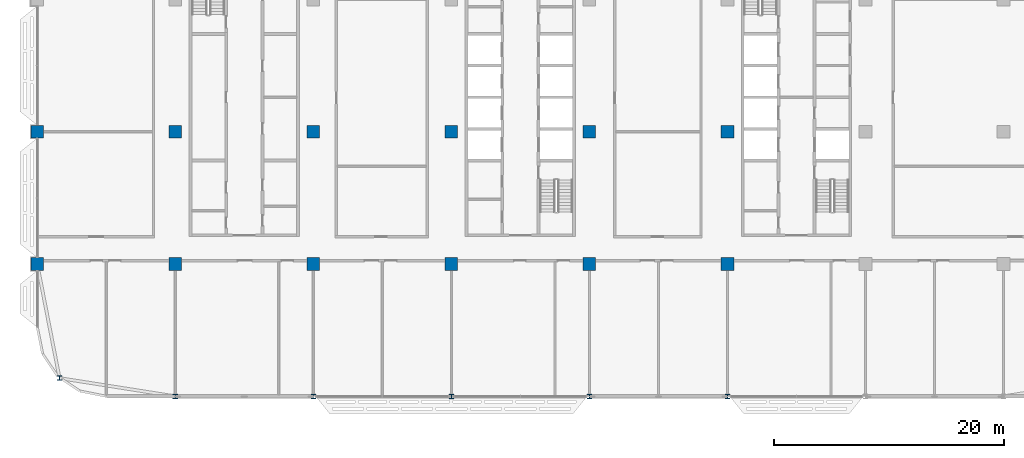
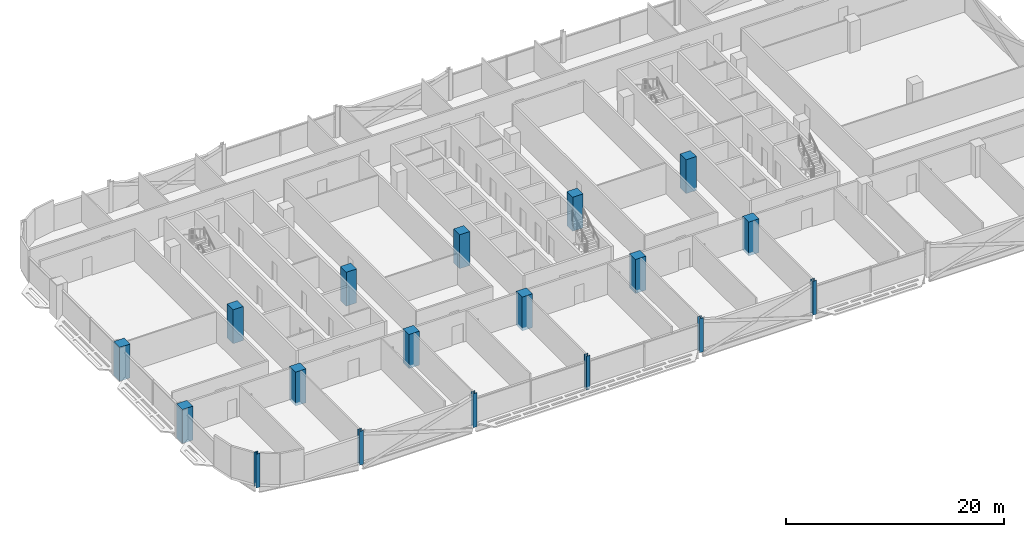
# One storey, part 1 of 30: 18 columns.
"""IFC4 building model written with IfcOpenShell, lengths in metres."""

from ifc_helpers import new_model, si_unit, direction, frame, origin, origin_2d, place, context, subcontext, project, spatial, rectangle, i_section, extrude, material, material_profile, profile_set, type_object, element, save


model = new_model("IFC4")

# Units and contexts
model_context = context("Model", 3, precision=1e-05, world=origin(), true_north=direction((0.0, 1.0)))
body_context = subcontext(model_context, "Body", "Model", "MODEL_VIEW")
ifc_project = project(units=[si_unit("LENGTHUNIT", "METRE"), si_unit("AREAUNIT", "SQUARE_METRE"), si_unit("VOLUMEUNIT", "CUBIC_METRE"), si_unit("PLANEANGLEUNIT", "RADIAN"), si_unit("MASSUNIT", "GRAM", prefix="KILO")], contexts=[model_context])

# Site, building, storey
site_placement = place(None, origin())
site = spatial("IfcSite", under=ifc_project, at=site_placement, CompositionType="ELEMENT")
building_placement = place(site_placement, origin())
building = spatial("IfcBuilding", under=site, at=building_placement, Name="Mahtab Terrace Research Tower", CompositionType="ELEMENT")
storey_placement = place(building_placement, frame((0.0, 0.0, 205.300048828125)))
storey = spatial("IfcBuildingStorey", under=building, at=storey_placement, Name="L49", CompositionType="ELEMENT", Elevation=205.300048828125)

# Columns
ifc_material_1 = material(Name="Concrete C70/85", Category="concrete")
ifc_material_profile_1 = material_profile(ifc_material_1, rectangle(XDim=1.10009765625, YDim=1.10009765625, at=origin_2d()), Name="RC column 1100x1100")
ifc_profile_set_1 = profile_set([ifc_material_profile_1], Name="Concrete C70/85")
column_type_1 = type_object("IfcColumnType", Name="RC column 1100x1100", PredefinedType="COLUMN", material=ifc_profile_set_1)
for number, where, z_axis, x_axis, name in (
    (1, (-42.0, -11.5, -0.340087890625), (0.0, 0.0, 1.0), (1.0, 0.0, 0.0), "Column RC-1A L49"),
    (2, (-42.0, 0.0, -0.340087890625), (0.0, 0.0, 1.0), (1.0, 0.0, 0.0), "Column RC-1B L49"),
    (3, (-30.0, -11.5, -0.340087890625), (0.0, 0.0, 1.0), (1.0, 0.0, 0.0), "Column RC-2A L49"),
    (4, (-30.0, 0.0, -0.340087890625), (0.0, 0.0, 1.0), (1.0, 0.0, 0.0), "Column RC-2B L49"),
    (5, (-18.0, -11.5, -0.340087890625), (0.0, 0.0, 1.0), (1.0, 0.0, 0.0), "Column RC-3A L49"),
    (6, (-18.0, 0.0, -0.340087890625), (0.0, 0.0, 1.0), (1.0, 0.0, 0.0), "Column RC-3B L49"),
    (7, (-6.0, -11.5, -0.340087890625), (0.0, 0.0, 1.0), (1.0, 0.0, 0.0), "Column RC-4A L49"),
    (8, (-6.0, 0.0, -0.340087890625), (0.0, 0.0, 1.0), (1.0, 0.0, 0.0), "Column RC-4B L49"),
    (9, (6.0, -11.5, -0.340087890625), (0.0, 0.0, 1.0), (1.0, 0.0, 0.0), "Column RC-5A L49"),
    (10, (6.0, 0.0, -0.340087890625), (0.0, 0.0, 1.0), (1.0, 0.0, 0.0), "Column RC-5B L49"),
    (11, (18.0, -11.5, -0.340087890625), (0.0, 0.0, 1.0), (1.0, 0.0, 0.0), "Column RC-6A L49"),
    (12, (18.0, 0.0, -0.340087890625), (0.0, 0.0, 1.0), (1.0, 0.0, 0.0), "Column RC-6B L49"),
):
    element("IfcColumn", number, at=place(storey_placement, frame(where, z_axis=z_axis, x_axis=x_axis)), inside=storey, type_object=column_type_1, Name=name, PredefinedType="COLUMN", context=body_context, shape_type="SweptSolid", body=[
        extrude(rectangle(XDim=1.10009765625, YDim=1.10009765625, at=origin_2d()), origin(), (0.0, 0.0, 1.0), 3.800048828125),
    ])
ifc_material_2 = material(Name="Steel ASTM A992 Gr 50", Category="steel")
ifc_material_profile_2 = material_profile(ifc_material_2, i_section(OverallWidth=0.4013671875, OverallDepth=0.398681640625, WebThickness=0.02490234375, FlangeThickness=0.03955078125, at=origin_2d()), Name="W14X211")
ifc_profile_set_2 = profile_set([ifc_material_profile_2], Name="Steel ASTM A992 Gr 50")
column_type_2 = type_object("IfcColumnType", Name="W14x211 column CS14211", PredefinedType="COLUMN", material=ifc_profile_set_2)
for number, where, z_axis, x_axis, name in (
    (13, (-40.06201171875, -21.416015625, -0.340087890625), (0.0, 0.0, 1.0), (1.0, 0.0, 0.0), "Column SC-025 L49"),
    (14, (-30.0, -23.0, -0.340087890625), (0.0, 0.0, 1.0), (1.0, 0.0, 0.0), "Column SC-013 L49"),
    (15, (-18.0, -23.0, -0.340087890625), (0.0, 0.0, 1.0), (1.0, 0.0, 0.0), "Column SC-014 L49"),
    (16, (-6.0, -23.0, -0.340087890625), (0.0, 0.0, 1.0), (1.0, 0.0, 0.0), "Column SC-015 L49"),
    (17, (6.0, -23.0, -0.340087890625), (0.0, 0.0, 1.0), (1.0, 0.0, 0.0), "Column SC-016 L49"),
    (18, (18.0, -23.0, -0.340087890625), (0.0, 0.0, 1.0), (1.0, 0.0, 0.0), "Column SC-017 L49"),
):
    element("IfcColumn", number, at=place(storey_placement, frame(where, z_axis=z_axis, x_axis=x_axis)), inside=storey, type_object=column_type_2, Name=name, PredefinedType="COLUMN", context=body_context, shape_type="SweptSolid", body=[
        extrude(i_section(OverallWidth=0.4013671875, OverallDepth=0.398681640625, WebThickness=0.02490234375, FlangeThickness=0.03955078125, at=origin_2d()), origin(), (0.0, 0.0, 1.0), 3.800048828125),
    ])

save(model, "model.ifc")
